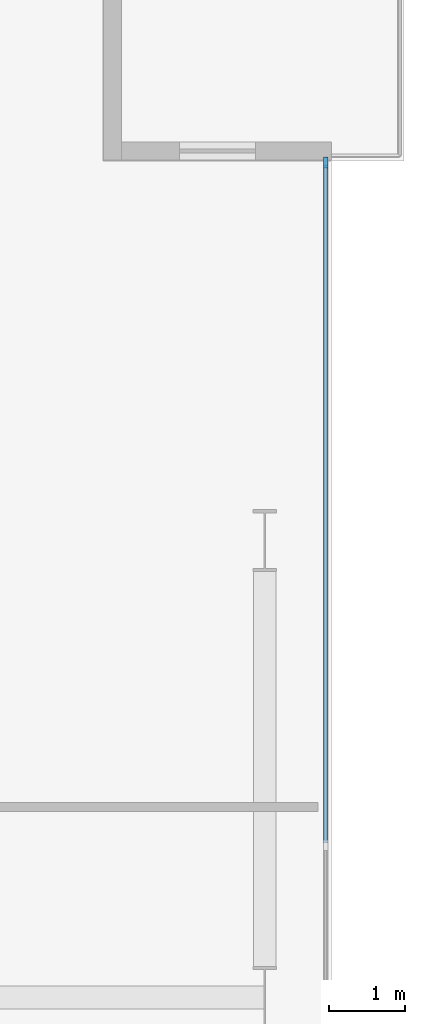
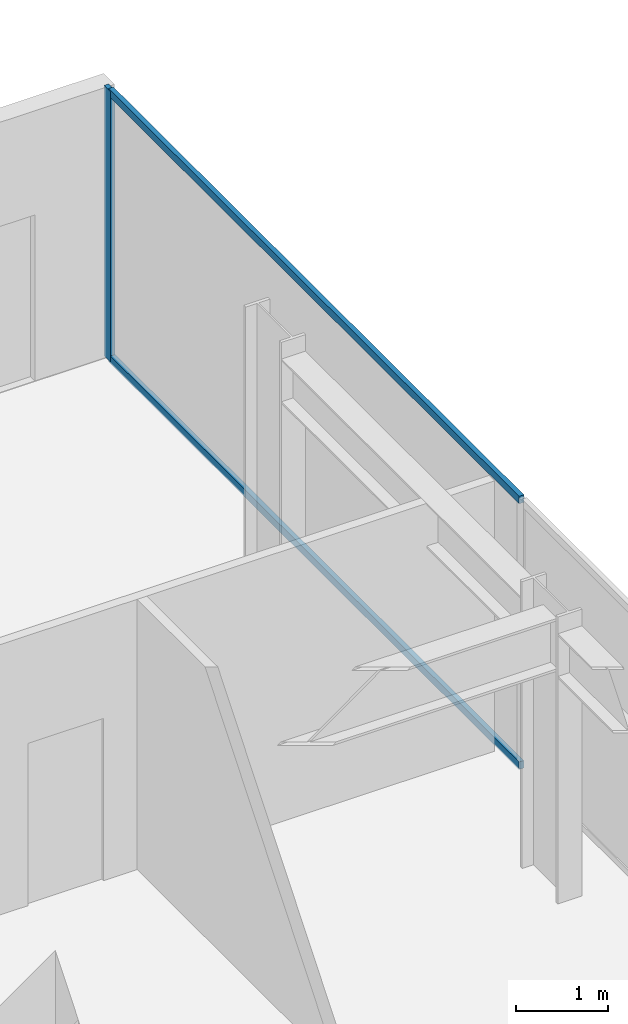
# One storey, part 15 of 23: 3 members, 1 element without a shape of its own.
"""IFC4 building model written with IfcOpenShell, lengths in metres."""

from ifc_helpers import new_model, si_unit, direction, frame, origin, origin_2d, place, context, subcontext, project, spatial, rectangle, extrude, material, layer, layer_set, material_profile, profile_set, type_object, element, aggregate, save


model = new_model("IFC4")

# Units and contexts
model_context = context("Model", 3, precision=1e-05, world=origin(), true_north=direction((0.0, 1.0)))
body_context = subcontext(model_context, "Body", "Model", "MODEL_VIEW")
ifc_project = project(units=[si_unit("LENGTHUNIT", "METRE"), si_unit("AREAUNIT", "SQUARE_METRE"), si_unit("VOLUMEUNIT", "CUBIC_METRE"), si_unit("PLANEANGLEUNIT", "RADIAN"), si_unit("MASSUNIT", "GRAM", prefix="KILO")], contexts=[model_context])

# Site, building, storey
site_placement = place(None, origin())
site = spatial("IfcSite", under=ifc_project, at=site_placement, CompositionType="ELEMENT")
building_placement = place(site_placement, origin())
building = spatial("IfcBuilding", under=site, at=building_placement, Name="Putna Gate Headquarters", CompositionType="ELEMENT")
storey_placement = place(building_placement, frame((0.0, 0.0, 206.199951171875)))
storey = spatial("IfcBuildingStorey", under=building, at=storey_placement, Name="L51", CompositionType="ELEMENT", Elevation=206.199951171875)

# Curtain wall, members
ifc_material_1 = material(Name="Anodised bronze aluminium curtain wall", Category="aluminium")
ifc_layer = layer(ifc_material_1, 0.139892578125)
ifc_layer_set = layer_set([ifc_layer], Name="Anodised bronze aluminium curtain wall")
curtain_wall_type = type_object("IfcCurtainWallType", Name="CW-SYS-Z4", PredefinedType="USERDEFINED", material=ifc_layer_set)
curtain_wall_placement = place(storey_placement, origin())
curtain_wall = element("IfcCurtainWall", 1, at=curtain_wall_placement, inside=storey, type_object=curtain_wall_type, Name="L51 East Curtain Wall", ObjectType="STICK CURTAIN WALL", PredefinedType="USERDEFINED")
ifc_material_2 = material(Name="Anodised bronze aluminium EN AW-6060", Category="aluminium")
ifc_material_profile_1 = material_profile(ifc_material_2, rectangle(XDim=0.06005859375, YDim=0.139892578125, at=origin_2d()), Name="Anodised bronze aluminium EN AW-6060")
ifc_profile_set_1 = profile_set([ifc_material_profile_1], Name="Anodised bronze aluminium EN AW-6060")
member_type_1 = type_object("IfcMemberType", Name="MULL-CWM-4", PredefinedType="MULLION", material=ifc_profile_set_1)
member_1_placement = place(storey_placement, frame((72.1201171875, 43.969970703125, 0.0), z_axis=(0.0, 0.0, 1.0), x_axis=(-1.0, 0.0, 0.0)))
member_1 = element("IfcMember", 2, at=member_1_placement, type_object=member_type_1, Name="CWS-4 mullion 5", PredefinedType="MULLION", context=body_context, shape_type="SweptSolid", body=[
    extrude(rectangle(XDim=0.06005859375, YDim=0.139892578125, at=origin_2d()), origin(), (0.0, 0.0, 1.0), 3.580078125),
])
ifc_material_profile_2 = material_profile(ifc_material_2, rectangle(XDim=0.06005859375, YDim=0.10009765625, at=origin_2d()), Name="Anodised bronze aluminium EN AW-6060")
ifc_profile_set_2 = profile_set([ifc_material_profile_2], Name="Anodised bronze aluminium EN AW-6060")
member_type_2 = type_object("IfcMemberType", Name="TRAN-CWT-4", PredefinedType="USERDEFINED", material=ifc_profile_set_2)
member_2_placement = place(storey_placement, frame((72.1201171875, 35.030029296875, 0.030029296875), z_axis=(0.0, 1.0, 0.0), x_axis=(-1.0, 0.0, 0.0)))
member_2 = element("IfcMember", 3, at=member_2_placement, type_object=member_type_2, Name="CWS-4 transom 4.1", ObjectType="TRANSOM", PredefinedType="USERDEFINED", context=body_context, shape_type="SweptSolid", body=[
    extrude(rectangle(XDim=0.06005859375, YDim=0.10009765625, at=origin_2d()), origin(), (0.0, 0.0, 1.0), 8.909912109375),
])
member_3_placement = place(storey_placement, frame((72.1201171875, 35.030029296875, 3.550048828125), z_axis=(0.0, 1.0, 0.0), x_axis=(-1.0, 0.0, 0.0)))
member_3 = element("IfcMember", 4, at=member_3_placement, type_object=member_type_2, Name="CWS-4 transom 4.2", ObjectType="TRANSOM", PredefinedType="USERDEFINED", context=body_context, shape_type="SweptSolid", body=[
    extrude(rectangle(XDim=0.06005859375, YDim=0.10009765625, at=origin_2d()), origin(), (0.0, 0.0, 1.0), 8.909912109375),
])
aggregate(curtain_wall, [member_1, member_2, member_3])

save(model, "model.ifc")
